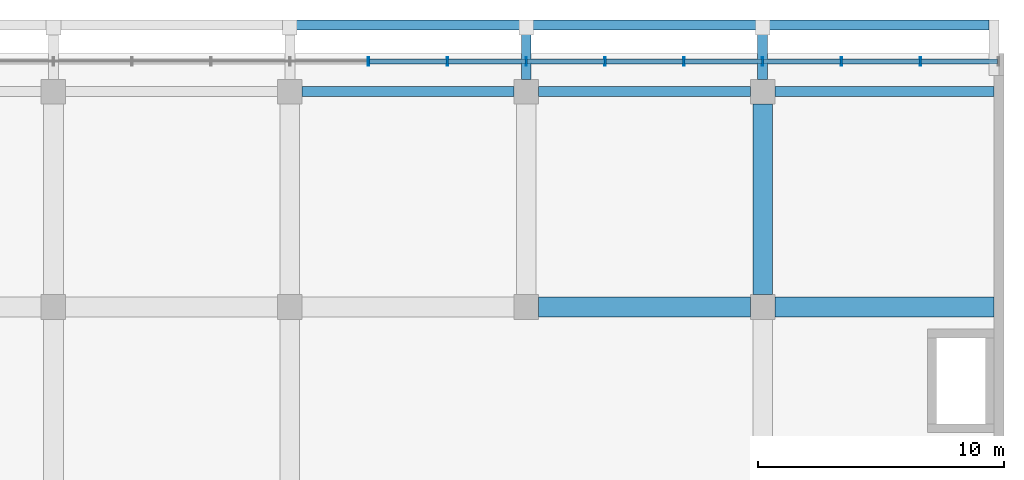
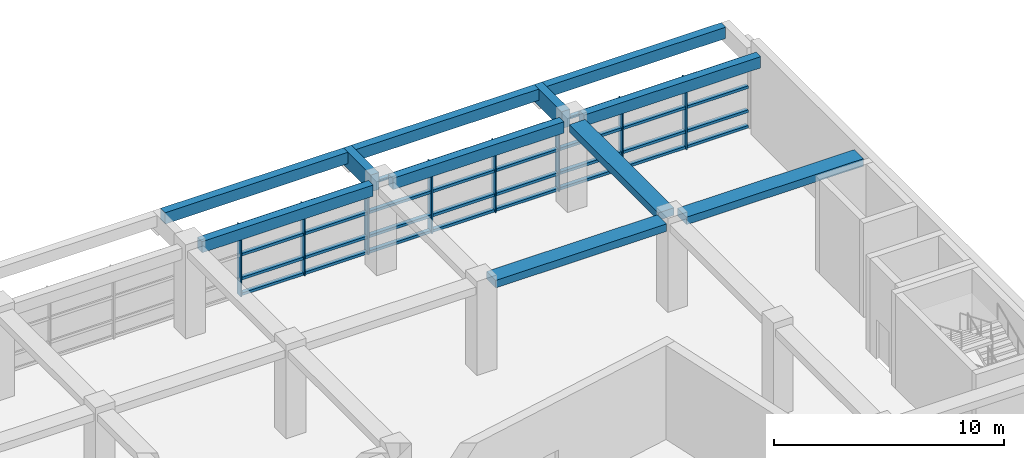
# One storey, part 5 of 31: 40 members, 11 beams, 1 element without a shape of its own.
"""IFC4 building model written with IfcOpenShell, lengths in metres."""

from ifc_helpers import new_model, si_unit, direction, frame, origin, origin_2d, place, context, subcontext, project, spatial, rectangle, hollow_rectangle, extrude, material, layer, layer_set, material_profile, profile_set, type_object, element, aggregate, save


model = new_model("IFC4")

# Units and contexts
model_context = context("Model", 3, precision=1e-05, world=origin(), true_north=direction((0.0, 1.0)))
body_context = subcontext(model_context, "Body", "Model", "MODEL_VIEW")
ifc_project = project(units=[si_unit("LENGTHUNIT", "METRE"), si_unit("AREAUNIT", "SQUARE_METRE"), si_unit("VOLUMEUNIT", "CUBIC_METRE"), si_unit("PLANEANGLEUNIT", "RADIAN"), si_unit("MASSUNIT", "GRAM", prefix="KILO")], contexts=[model_context])

# Site, building, storey
site_placement = place(None, origin())
site = spatial("IfcSite", under=ifc_project, at=site_placement, CompositionType="ELEMENT")
building_placement = place(site_placement, origin())
building = spatial("IfcBuilding", under=site, at=building_placement, Name="Nzadi Deep Aquarium and Research Tower", CompositionType="ELEMENT")
storey_placement = place(building_placement, frame((0.0, 0.0, 21.699951171875)))
storey = spatial("IfcBuildingStorey", under=building, at=storey_placement, Name="L03", CompositionType="ELEMENT", Elevation=21.699951171875)

# Curtain wall, members
ifc_material_1 = material(Name="Aluminium unitised frame tall span", Category="aluminium")
ifc_layer = layer(ifc_material_1, 0.35009765625)
ifc_layer_set = layer_set([ifc_layer], Name="Aluminium unitised frame tall span")
curtain_wall_type = type_object("IfcCurtainWallType", Name="Curtain wall Podium 350", PredefinedType="NOTDEFINED", material=ifc_layer_set)
curtain_wall_placement = place(storey_placement, origin())
curtain_wall = element("IfcCurtainWall", 1, at=curtain_wall_placement, inside=storey, type_object=curtain_wall_type, Name="North cascade curtain wall L03", PredefinedType="NOTDEFINED")
ifc_material_2 = material(Name="Aluminium unitised frame tall span", Category="aluminium")
ifc_material_profile_1 = material_profile(ifc_material_2, hollow_rectangle(XDim=0.35009765625, YDim=0.06005859375, WallThickness=0.0048828125, at=origin_2d()))
ifc_profile_set_1 = profile_set([ifc_material_profile_1], Name="Aluminium unitised frame tall span")
member_type_1 = type_object("IfcMemberType", Name="Mullion 60x350 Podium", PredefinedType="MULLION", material=ifc_profile_set_1)
member_1_placement = place(storey_placement, frame((32.0, 141.574951171875, 0.0), z_axis=(0.0, 0.0, 1.0), x_axis=(0.0, 1.0, 0.0)))
member_1 = element("IfcMember", 2, at=member_1_placement, type_object=member_type_1, Name="CW255 mullion 11", PredefinedType="MULLION", context=body_context, shape_type="SweptSolid", body=[
    extrude(hollow_rectangle(XDim=0.35009765625, YDim=0.06005859375, WallThickness=0.0048828125, at=origin_2d()), origin(), (0.0, 0.0, 1.0), 3.75),
])
member_2_placement = place(storey_placement, frame((35.199951171875, 141.574951171875, 0.0), z_axis=(0.0, 0.0, 1.0), x_axis=(0.0, 1.0, 0.0)))
member_2 = element("IfcMember", 3, at=member_2_placement, type_object=member_type_1, Name="CW255 mullion 12", PredefinedType="MULLION", context=body_context, shape_type="SweptSolid", body=[
    extrude(hollow_rectangle(XDim=0.35009765625, YDim=0.06005859375, WallThickness=0.0048828125, at=origin_2d()), origin(), (0.0, 0.0, 1.0), 3.75),
])
member_3_placement = place(storey_placement, frame((38.39990234375, 141.574951171875, 0.0), z_axis=(0.0, 0.0, 1.0), x_axis=(0.0, 1.0, 0.0)))
member_3 = element("IfcMember", 4, at=member_3_placement, type_object=member_type_1, Name="CW255 mullion 13", PredefinedType="MULLION", context=body_context, shape_type="SweptSolid", body=[
    extrude(hollow_rectangle(XDim=0.35009765625, YDim=0.06005859375, WallThickness=0.0048828125, at=origin_2d()), origin(), (0.0, 0.0, 1.0), 3.75),
])
member_4_placement = place(storey_placement, frame((41.60009765625, 141.574951171875, 0.0), z_axis=(0.0, 0.0, 1.0), x_axis=(0.0, 1.0, 0.0)))
member_4 = element("IfcMember", 5, at=member_4_placement, type_object=member_type_1, Name="CW255 mullion 14", PredefinedType="MULLION", context=body_context, shape_type="SweptSolid", body=[
    extrude(hollow_rectangle(XDim=0.35009765625, YDim=0.06005859375, WallThickness=0.0048828125, at=origin_2d()), origin(), (0.0, 0.0, 1.0), 3.75),
])
member_5_placement = place(storey_placement, frame((44.800048828125, 141.574951171875, 0.0), z_axis=(0.0, 0.0, 1.0), x_axis=(0.0, 1.0, 0.0)))
member_5 = element("IfcMember", 6, at=member_5_placement, type_object=member_type_1, Name="CW255 mullion 15", PredefinedType="MULLION", context=body_context, shape_type="SweptSolid", body=[
    extrude(hollow_rectangle(XDim=0.35009765625, YDim=0.06005859375, WallThickness=0.0048828125, at=origin_2d()), origin(), (0.0, 0.0, 1.0), 3.75),
])
member_6_placement = place(storey_placement, frame((48.0, 141.574951171875, 0.0), z_axis=(0.0, 0.0, 1.0), x_axis=(0.0, 1.0, 0.0)))
member_6 = element("IfcMember", 7, at=member_6_placement, type_object=member_type_1, Name="CW255 mullion 16", PredefinedType="MULLION", context=body_context, shape_type="SweptSolid", body=[
    extrude(hollow_rectangle(XDim=0.35009765625, YDim=0.06005859375, WallThickness=0.0048828125, at=origin_2d()), origin(), (0.0, 0.0, 1.0), 3.75),
])
member_7_placement = place(storey_placement, frame((51.199951171875, 141.574951171875, 0.0), z_axis=(0.0, 0.0, 1.0), x_axis=(0.0, 1.0, 0.0)))
member_7 = element("IfcMember", 8, at=member_7_placement, type_object=member_type_1, Name="CW255 mullion 17", PredefinedType="MULLION", context=body_context, shape_type="SweptSolid", body=[
    extrude(hollow_rectangle(XDim=0.35009765625, YDim=0.06005859375, WallThickness=0.0048828125, at=origin_2d()), origin(), (0.0, 0.0, 1.0), 3.75),
])
member_8_placement = place(storey_placement, frame((54.39990234375, 141.574951171875, 0.0), z_axis=(0.0, 0.0, 1.0), x_axis=(0.0, 1.0, 0.0)))
member_8 = element("IfcMember", 9, at=member_8_placement, type_object=member_type_1, Name="CW255 mullion 18", PredefinedType="MULLION", context=body_context, shape_type="SweptSolid", body=[
    extrude(hollow_rectangle(XDim=0.35009765625, YDim=0.06005859375, WallThickness=0.0048828125, at=origin_2d()), origin(), (0.0, 0.0, 1.0), 3.75),
])

# Beams
ifc_material_3 = material(Name="Concrete C35/45", Category="concrete")
ifc_material_profile_2 = material_profile(ifc_material_3, rectangle(XDim=0.39990234375, YDim=0.60009765625, at=origin_2d()))
ifc_profile_set_2 = profile_set([ifc_material_profile_2], Name="Concrete C35/45")
beam_type_1 = type_object("IfcBeamType", Name="RC 400x600", PredefinedType="BEAM", material=ifc_profile_set_2)
beam_1_placement = place(storey_placement, frame((29.300048828125, 140.35009765625, 4.35009765625), z_axis=(1.0, 0.0, 0.0), x_axis=(0.0, 1.0, 0.0)))
element("IfcBeam", 10, at=beam_1_placement, inside=storey, type_object=beam_type_1, Name="B-Z3-L03-L18-4", PredefinedType="BEAM", context=body_context, shape_type="SweptSolid", body=[
    extrude(rectangle(XDim=0.39990234375, YDim=0.60009765625, at=origin_2d()), origin(), (0.0, 0.0, 1.0), 8.599853515625),
])
beam_2_placement = place(storey_placement, frame((38.89990234375, 140.35009765625, 4.35009765625), z_axis=(1.0, 0.0, 0.0), x_axis=(0.0, 1.0, 0.0)))
element("IfcBeam", 11, at=beam_2_placement, inside=storey, type_object=beam_type_1, Name="B-Z3-L03-L18-5", PredefinedType="BEAM", context=body_context, shape_type="SweptSolid", body=[
    extrude(rectangle(XDim=0.39990234375, YDim=0.60009765625, at=origin_2d()), origin(), (0.0, 0.0, 1.0), 8.60009765625),
])
beam_3_placement = place(storey_placement, frame((48.5, 140.35009765625, 4.35009765625), z_axis=(1.0, 0.0, 0.0), x_axis=(0.0, 1.0, 0.0)))
element("IfcBeam", 12, at=beam_3_placement, inside=storey, type_object=beam_type_1, Name="B-Z3-L03-L18-6", PredefinedType="BEAM", context=body_context, shape_type="SweptSolid", body=[
    extrude(rectangle(XDim=0.39990234375, YDim=0.60009765625, at=origin_2d()), origin(), (0.0, 0.0, 1.0), 8.89990234375),
])
for number, where, z_axis, x_axis, name in (
    (13, (29.0, 143.050048828125, 4.35009765625), (1.0, 0.0, 0.0), (0.0, 1.0, 0.0), "B-Z3-L04-TB4"),
    (14, (38.60009765625, 143.050048828125, 4.35009765625), (1.0, 0.0, 0.0), (0.0, 1.0, 0.0), "B-Z3-L04-TB5"),
):
    element("IfcBeam", number, at=place(storey_placement, frame(where, z_axis=z_axis, x_axis=x_axis)), inside=storey, type_object=beam_type_1, Name=name, PredefinedType="BEAM", context=body_context, shape_type="SweptSolid", body=[
        extrude(rectangle(XDim=0.39990234375, YDim=0.60009765625, at=origin_2d()), origin(), (0.0, 0.0, 1.0), 9.199951171875),
    ])
beam_4_placement = place(storey_placement, frame((48.199951171875, 143.050048828125, 4.35009765625), z_axis=(1.0, 0.0, 0.0), x_axis=(0.0, 1.0, 0.0)))
element("IfcBeam", 15, at=beam_4_placement, inside=storey, type_object=beam_type_1, Name="B-Z3-L04-TB6", PredefinedType="BEAM", context=body_context, shape_type="SweptSolid", body=[
    extrude(rectangle(XDim=0.39990234375, YDim=0.60009765625, at=origin_2d()), origin(), (0.0, 0.0, 1.0), 9.0),
])
ifc_material_4 = material(Name="Concrete C35/45", Category="concrete")
ifc_material_profile_3 = material_profile(ifc_material_4, rectangle(XDim=0.39990234375, YDim=0.89990234375, at=origin_2d()))
ifc_profile_set_3 = profile_set([ifc_material_profile_3], Name="Concrete C35/45")
beam_type_2 = type_object("IfcBeamType", Name="RC 400x900", PredefinedType="BEAM", material=ifc_profile_set_3)
for number, where, z_axis, x_axis, name in (
    (16, (38.39990234375, 140.85009765625, 4.199951171875), (0.0, 1.0, 0.0), (-1.0, 0.0, 0.0), "B-Z3-L04-CB5"),
    (17, (48.0, 140.85009765625, 4.199951171875), (0.0, 1.0, 0.0), (-1.0, 0.0, 0.0), "B-Z3-L04-CB6"),
):
    element("IfcBeam", number, at=place(storey_placement, frame(where, z_axis=z_axis, x_axis=x_axis)), inside=storey, type_object=beam_type_2, Name=name, PredefinedType="BEAM", context=body_context, shape_type="SweptSolid", body=[
        extrude(rectangle(XDim=0.39990234375, YDim=0.89990234375, at=origin_2d()), origin(), (0.0, 0.0, 1.0), 2.39990234375),
    ])
ifc_material_5 = material(Name="Concrete C35/45", Category="concrete")
ifc_material_profile_4 = material_profile(ifc_material_5, rectangle(XDim=0.800048828125, YDim=0.39990234375, at=origin_2d()))
ifc_profile_set_4 = profile_set([ifc_material_profile_4], Name="Concrete C35/45")
beam_type_3 = type_object("IfcBeamType", Name="RC 800x400", PredefinedType="BEAM", material=ifc_profile_set_4)
beam_5_placement = place(storey_placement, frame((38.89990234375, 131.60009765625, 4.449951171875), z_axis=(1.0, 0.0, 0.0), x_axis=(0.0, 1.0, 0.0)))
element("IfcBeam", 18, at=beam_5_placement, inside=storey, type_object=beam_type_3, Name="B-Z3-L03-L17-5", PredefinedType="BEAM", context=body_context, shape_type="SweptSolid", body=[
    extrude(rectangle(XDim=0.800048828125, YDim=0.39990234375, at=origin_2d()), origin(), (0.0, 0.0, 1.0), 8.60009765625),
])
beam_6_placement = place(storey_placement, frame((48.5, 131.60009765625, 4.449951171875), z_axis=(1.0, 0.0, 0.0), x_axis=(0.0, 1.0, 0.0)))
element("IfcBeam", 19, at=beam_6_placement, inside=storey, type_object=beam_type_3, Name="B-Z3-L03-L17-6", PredefinedType="BEAM", context=body_context, shape_type="SweptSolid", body=[
    extrude(rectangle(XDim=0.800048828125, YDim=0.39990234375, at=origin_2d()), origin(), (0.0, 0.0, 1.0), 8.89990234375),
])
beam_7_placement = place(storey_placement, frame((48.0, 132.10009765625, 4.449951171875), z_axis=(0.0, 1.0, 0.0), x_axis=(-1.0, 0.0, 0.0)))
element("IfcBeam", 20, at=beam_7_placement, inside=storey, type_object=beam_type_3, Name="B-Z3-L03-CF-5-13", PredefinedType="BEAM", context=body_context, shape_type="SweptSolid", body=[
    extrude(rectangle(XDim=0.800048828125, YDim=0.39990234375, at=origin_2d()), origin(), (0.0, 0.0, 1.0), 7.75),
])

# Member
ifc_material_6 = material(Name="Aluminium unitised frame tall span", Category="aluminium")
ifc_material_profile_5 = material_profile(ifc_material_6, hollow_rectangle(XDim=0.199951171875, YDim=0.139892578125, WallThickness=0.0048828125, at=origin_2d()))
ifc_profile_set_5 = profile_set([ifc_material_profile_5], Name="Aluminium unitised frame tall span")
member_type_2 = type_object("IfcMemberType", Name="Transom 140x200 Podium", PredefinedType="MULLION", material=ifc_profile_set_5)
member_9_placement = place(storey_placement, frame((32.030029296875, 141.574951171875, 0.070068359375), z_axis=(1.0, 0.0, 0.0), x_axis=(0.0, 1.0, 0.0)))
member_9 = element("IfcMember", 21, at=member_9_placement, type_object=member_type_2, Name="CW255 transom 11.1", PredefinedType="MULLION", context=body_context, shape_type="SweptSolid", body=[
    extrude(hollow_rectangle(XDim=0.199951171875, YDim=0.139892578125, WallThickness=0.0048828125, at=origin_2d()), origin(), (0.0, 0.0, 1.0), 3.139892578125),
])

member_10_placement = place(storey_placement, frame((32.030029296875, 141.574951171875, 0.900146484375), z_axis=(1.0, 0.0, 0.0), x_axis=(0.0, 1.0, 0.0)))
member_10 = element("IfcMember", 22, at=member_10_placement, type_object=member_type_2, Name="CW255 transom 11.2", PredefinedType="MULLION", context=body_context, shape_type="SweptSolid", body=[
    extrude(hollow_rectangle(XDim=0.199951171875, YDim=0.139892578125, WallThickness=0.0048828125, at=origin_2d()), origin(), (0.0, 0.0, 1.0), 3.139892578125),
])

member_11_placement = place(storey_placement, frame((32.030029296875, 141.574951171875, 2.175048828125), z_axis=(1.0, 0.0, 0.0), x_axis=(0.0, 1.0, 0.0)))
member_11 = element("IfcMember", 23, at=member_11_placement, type_object=member_type_2, Name="CW255 transom 11.3", PredefinedType="MULLION", context=body_context, shape_type="SweptSolid", body=[
    extrude(hollow_rectangle(XDim=0.199951171875, YDim=0.139892578125, WallThickness=0.0048828125, at=origin_2d()), origin(), (0.0, 0.0, 1.0), 3.139892578125),
])

member_12_placement = place(storey_placement, frame((32.030029296875, 141.574951171875, 3.679931640625), z_axis=(1.0, 0.0, 0.0), x_axis=(0.0, 1.0, 0.0)))
member_12 = element("IfcMember", 24, at=member_12_placement, type_object=member_type_2, Name="CW255 transom 11.4", PredefinedType="MULLION", context=body_context, shape_type="SweptSolid", body=[
    extrude(hollow_rectangle(XDim=0.199951171875, YDim=0.139892578125, WallThickness=0.0048828125, at=origin_2d()), origin(), (0.0, 0.0, 1.0), 3.139892578125),
])

member_13_placement = place(storey_placement, frame((35.22998046875, 141.574951171875, 0.070068359375), z_axis=(1.0, 0.0, 0.0), x_axis=(0.0, 1.0, 0.0)))
member_13 = element("IfcMember", 25, at=member_13_placement, type_object=member_type_2, Name="CW255 transom 12.1", PredefinedType="MULLION", context=body_context, shape_type="SweptSolid", body=[
    extrude(hollow_rectangle(XDim=0.199951171875, YDim=0.139892578125, WallThickness=0.0048828125, at=origin_2d()), origin(), (0.0, 0.0, 1.0), 3.14013671875),
])

member_14_placement = place(storey_placement, frame((35.22998046875, 141.574951171875, 0.900146484375), z_axis=(1.0, 0.0, 0.0), x_axis=(0.0, 1.0, 0.0)))
member_14 = element("IfcMember", 26, at=member_14_placement, type_object=member_type_2, Name="CW255 transom 12.2", PredefinedType="MULLION", context=body_context, shape_type="SweptSolid", body=[
    extrude(hollow_rectangle(XDim=0.199951171875, YDim=0.139892578125, WallThickness=0.0048828125, at=origin_2d()), origin(), (0.0, 0.0, 1.0), 3.14013671875),
])

member_15_placement = place(storey_placement, frame((35.22998046875, 141.574951171875, 2.175048828125), z_axis=(1.0, 0.0, 0.0), x_axis=(0.0, 1.0, 0.0)))
member_15 = element("IfcMember", 27, at=member_15_placement, type_object=member_type_2, Name="CW255 transom 12.3", PredefinedType="MULLION", context=body_context, shape_type="SweptSolid", body=[
    extrude(hollow_rectangle(XDim=0.199951171875, YDim=0.139892578125, WallThickness=0.0048828125, at=origin_2d()), origin(), (0.0, 0.0, 1.0), 3.14013671875),
])

member_16_placement = place(storey_placement, frame((35.22998046875, 141.574951171875, 3.679931640625), z_axis=(1.0, 0.0, 0.0), x_axis=(0.0, 1.0, 0.0)))
member_16 = element("IfcMember", 28, at=member_16_placement, type_object=member_type_2, Name="CW255 transom 12.4", PredefinedType="MULLION", context=body_context, shape_type="SweptSolid", body=[
    extrude(hollow_rectangle(XDim=0.199951171875, YDim=0.139892578125, WallThickness=0.0048828125, at=origin_2d()), origin(), (0.0, 0.0, 1.0), 3.14013671875),
])

member_17_placement = place(storey_placement, frame((38.429931640625, 141.574951171875, 0.070068359375), z_axis=(1.0, 0.0, 0.0), x_axis=(0.0, 1.0, 0.0)))
member_17 = element("IfcMember", 29, at=member_17_placement, type_object=member_type_2, Name="CW255 transom 13.1", PredefinedType="MULLION", context=body_context, shape_type="SweptSolid", body=[
    extrude(hollow_rectangle(XDim=0.199951171875, YDim=0.139892578125, WallThickness=0.0048828125, at=origin_2d()), origin(), (0.0, 0.0, 1.0), 3.14013671875),
])

member_18_placement = place(storey_placement, frame((38.429931640625, 141.574951171875, 0.900146484375), z_axis=(1.0, 0.0, 0.0), x_axis=(0.0, 1.0, 0.0)))
member_18 = element("IfcMember", 30, at=member_18_placement, type_object=member_type_2, Name="CW255 transom 13.2", PredefinedType="MULLION", context=body_context, shape_type="SweptSolid", body=[
    extrude(hollow_rectangle(XDim=0.199951171875, YDim=0.139892578125, WallThickness=0.0048828125, at=origin_2d()), origin(), (0.0, 0.0, 1.0), 3.14013671875),
])

member_19_placement = place(storey_placement, frame((38.429931640625, 141.574951171875, 2.175048828125), z_axis=(1.0, 0.0, 0.0), x_axis=(0.0, 1.0, 0.0)))
member_19 = element("IfcMember", 31, at=member_19_placement, type_object=member_type_2, Name="CW255 transom 13.3", PredefinedType="MULLION", context=body_context, shape_type="SweptSolid", body=[
    extrude(hollow_rectangle(XDim=0.199951171875, YDim=0.139892578125, WallThickness=0.0048828125, at=origin_2d()), origin(), (0.0, 0.0, 1.0), 3.14013671875),
])

member_20_placement = place(storey_placement, frame((38.429931640625, 141.574951171875, 3.679931640625), z_axis=(1.0, 0.0, 0.0), x_axis=(0.0, 1.0, 0.0)))
member_20 = element("IfcMember", 32, at=member_20_placement, type_object=member_type_2, Name="CW255 transom 13.4", PredefinedType="MULLION", context=body_context, shape_type="SweptSolid", body=[
    extrude(hollow_rectangle(XDim=0.199951171875, YDim=0.139892578125, WallThickness=0.0048828125, at=origin_2d()), origin(), (0.0, 0.0, 1.0), 3.14013671875),
])

member_21_placement = place(storey_placement, frame((41.6298828125, 141.574951171875, 0.070068359375), z_axis=(1.0, 0.0, 0.0), x_axis=(0.0, 1.0, 0.0)))
member_21 = element("IfcMember", 33, at=member_21_placement, type_object=member_type_2, Name="CW255 transom 14.1", PredefinedType="MULLION", context=body_context, shape_type="SweptSolid", body=[
    extrude(hollow_rectangle(XDim=0.199951171875, YDim=0.139892578125, WallThickness=0.0048828125, at=origin_2d()), origin(), (0.0, 0.0, 1.0), 3.14013671875),
])

member_22_placement = place(storey_placement, frame((41.6298828125, 141.574951171875, 0.900146484375), z_axis=(1.0, 0.0, 0.0), x_axis=(0.0, 1.0, 0.0)))
member_22 = element("IfcMember", 34, at=member_22_placement, type_object=member_type_2, Name="CW255 transom 14.2", PredefinedType="MULLION", context=body_context, shape_type="SweptSolid", body=[
    extrude(hollow_rectangle(XDim=0.199951171875, YDim=0.139892578125, WallThickness=0.0048828125, at=origin_2d()), origin(), (0.0, 0.0, 1.0), 3.14013671875),
])

member_23_placement = place(storey_placement, frame((41.6298828125, 141.574951171875, 2.175048828125), z_axis=(1.0, 0.0, 0.0), x_axis=(0.0, 1.0, 0.0)))
member_23 = element("IfcMember", 35, at=member_23_placement, type_object=member_type_2, Name="CW255 transom 14.3", PredefinedType="MULLION", context=body_context, shape_type="SweptSolid", body=[
    extrude(hollow_rectangle(XDim=0.199951171875, YDim=0.139892578125, WallThickness=0.0048828125, at=origin_2d()), origin(), (0.0, 0.0, 1.0), 3.14013671875),
])

member_24_placement = place(storey_placement, frame((41.6298828125, 141.574951171875, 3.679931640625), z_axis=(1.0, 0.0, 0.0), x_axis=(0.0, 1.0, 0.0)))
member_24 = element("IfcMember", 36, at=member_24_placement, type_object=member_type_2, Name="CW255 transom 14.4", PredefinedType="MULLION", context=body_context, shape_type="SweptSolid", body=[
    extrude(hollow_rectangle(XDim=0.199951171875, YDim=0.139892578125, WallThickness=0.0048828125, at=origin_2d()), origin(), (0.0, 0.0, 1.0), 3.14013671875),
])

member_25_placement = place(storey_placement, frame((44.830078125, 141.574951171875, 0.070068359375), z_axis=(1.0, 0.0, 0.0), x_axis=(0.0, 1.0, 0.0)))
member_25 = element("IfcMember", 37, at=member_25_placement, type_object=member_type_2, Name="CW255 transom 15.1", PredefinedType="MULLION", context=body_context, shape_type="SweptSolid", body=[
    extrude(hollow_rectangle(XDim=0.199951171875, YDim=0.139892578125, WallThickness=0.0048828125, at=origin_2d()), origin(), (0.0, 0.0, 1.0), 3.139892578125),
])

member_26_placement = place(storey_placement, frame((44.830078125, 141.574951171875, 0.900146484375), z_axis=(1.0, 0.0, 0.0), x_axis=(0.0, 1.0, 0.0)))
member_26 = element("IfcMember", 38, at=member_26_placement, type_object=member_type_2, Name="CW255 transom 15.2", PredefinedType="MULLION", context=body_context, shape_type="SweptSolid", body=[
    extrude(hollow_rectangle(XDim=0.199951171875, YDim=0.139892578125, WallThickness=0.0048828125, at=origin_2d()), origin(), (0.0, 0.0, 1.0), 3.139892578125),
])

member_27_placement = place(storey_placement, frame((44.830078125, 141.574951171875, 2.175048828125), z_axis=(1.0, 0.0, 0.0), x_axis=(0.0, 1.0, 0.0)))
member_27 = element("IfcMember", 39, at=member_27_placement, type_object=member_type_2, Name="CW255 transom 15.3", PredefinedType="MULLION", context=body_context, shape_type="SweptSolid", body=[
    extrude(hollow_rectangle(XDim=0.199951171875, YDim=0.139892578125, WallThickness=0.0048828125, at=origin_2d()), origin(), (0.0, 0.0, 1.0), 3.139892578125),
])

member_28_placement = place(storey_placement, frame((44.830078125, 141.574951171875, 3.679931640625), z_axis=(1.0, 0.0, 0.0), x_axis=(0.0, 1.0, 0.0)))
member_28 = element("IfcMember", 40, at=member_28_placement, type_object=member_type_2, Name="CW255 transom 15.4", PredefinedType="MULLION", context=body_context, shape_type="SweptSolid", body=[
    extrude(hollow_rectangle(XDim=0.199951171875, YDim=0.139892578125, WallThickness=0.0048828125, at=origin_2d()), origin(), (0.0, 0.0, 1.0), 3.139892578125),
])

member_29_placement = place(storey_placement, frame((48.030029296875, 141.574951171875, 0.070068359375), z_axis=(1.0, 0.0, 0.0), x_axis=(0.0, 1.0, 0.0)))
member_29 = element("IfcMember", 41, at=member_29_placement, type_object=member_type_2, Name="CW255 transom 16.1", PredefinedType="MULLION", context=body_context, shape_type="SweptSolid", body=[
    extrude(hollow_rectangle(XDim=0.199951171875, YDim=0.139892578125, WallThickness=0.0048828125, at=origin_2d()), origin(), (0.0, 0.0, 1.0), 3.139892578125),
])

member_30_placement = place(storey_placement, frame((48.030029296875, 141.574951171875, 0.900146484375), z_axis=(1.0, 0.0, 0.0), x_axis=(0.0, 1.0, 0.0)))
member_30 = element("IfcMember", 42, at=member_30_placement, type_object=member_type_2, Name="CW255 transom 16.2", PredefinedType="MULLION", context=body_context, shape_type="SweptSolid", body=[
    extrude(hollow_rectangle(XDim=0.199951171875, YDim=0.139892578125, WallThickness=0.0048828125, at=origin_2d()), origin(), (0.0, 0.0, 1.0), 3.139892578125),
])

member_31_placement = place(storey_placement, frame((48.030029296875, 141.574951171875, 2.175048828125), z_axis=(1.0, 0.0, 0.0), x_axis=(0.0, 1.0, 0.0)))
member_31 = element("IfcMember", 43, at=member_31_placement, type_object=member_type_2, Name="CW255 transom 16.3", PredefinedType="MULLION", context=body_context, shape_type="SweptSolid", body=[
    extrude(hollow_rectangle(XDim=0.199951171875, YDim=0.139892578125, WallThickness=0.0048828125, at=origin_2d()), origin(), (0.0, 0.0, 1.0), 3.139892578125),
])

member_32_placement = place(storey_placement, frame((48.030029296875, 141.574951171875, 3.679931640625), z_axis=(1.0, 0.0, 0.0), x_axis=(0.0, 1.0, 0.0)))
member_32 = element("IfcMember", 44, at=member_32_placement, type_object=member_type_2, Name="CW255 transom 16.4", PredefinedType="MULLION", context=body_context, shape_type="SweptSolid", body=[
    extrude(hollow_rectangle(XDim=0.199951171875, YDim=0.139892578125, WallThickness=0.0048828125, at=origin_2d()), origin(), (0.0, 0.0, 1.0), 3.139892578125),
])

member_33_placement = place(storey_placement, frame((51.22998046875, 141.574951171875, 0.070068359375), z_axis=(1.0, 0.0, 0.0), x_axis=(0.0, 1.0, 0.0)))
member_33 = element("IfcMember", 45, at=member_33_placement, type_object=member_type_2, Name="CW255 transom 17.1", PredefinedType="MULLION", context=body_context, shape_type="SweptSolid", body=[
    extrude(hollow_rectangle(XDim=0.199951171875, YDim=0.139892578125, WallThickness=0.0048828125, at=origin_2d()), origin(), (0.0, 0.0, 1.0), 3.14013671875),
])

member_34_placement = place(storey_placement, frame((51.22998046875, 141.574951171875, 0.900146484375), z_axis=(1.0, 0.0, 0.0), x_axis=(0.0, 1.0, 0.0)))
member_34 = element("IfcMember", 46, at=member_34_placement, type_object=member_type_2, Name="CW255 transom 17.2", PredefinedType="MULLION", context=body_context, shape_type="SweptSolid", body=[
    extrude(hollow_rectangle(XDim=0.199951171875, YDim=0.139892578125, WallThickness=0.0048828125, at=origin_2d()), origin(), (0.0, 0.0, 1.0), 3.14013671875),
])

member_35_placement = place(storey_placement, frame((51.22998046875, 141.574951171875, 2.175048828125), z_axis=(1.0, 0.0, 0.0), x_axis=(0.0, 1.0, 0.0)))
member_35 = element("IfcMember", 47, at=member_35_placement, type_object=member_type_2, Name="CW255 transom 17.3", PredefinedType="MULLION", context=body_context, shape_type="SweptSolid", body=[
    extrude(hollow_rectangle(XDim=0.199951171875, YDim=0.139892578125, WallThickness=0.0048828125, at=origin_2d()), origin(), (0.0, 0.0, 1.0), 3.14013671875),
])

member_36_placement = place(storey_placement, frame((51.22998046875, 141.574951171875, 3.679931640625), z_axis=(1.0, 0.0, 0.0), x_axis=(0.0, 1.0, 0.0)))
member_36 = element("IfcMember", 48, at=member_36_placement, type_object=member_type_2, Name="CW255 transom 17.4", PredefinedType="MULLION", context=body_context, shape_type="SweptSolid", body=[
    extrude(hollow_rectangle(XDim=0.199951171875, YDim=0.139892578125, WallThickness=0.0048828125, at=origin_2d()), origin(), (0.0, 0.0, 1.0), 3.14013671875),
])

member_37_placement = place(storey_placement, frame((54.429931640625, 141.574951171875, 0.070068359375), z_axis=(1.0, 0.0, 0.0), x_axis=(0.0, 1.0, 0.0)))
member_37 = element("IfcMember", 49, at=member_37_placement, type_object=member_type_2, Name="CW255 transom 18.1", PredefinedType="MULLION", context=body_context, shape_type="SweptSolid", body=[
    extrude(hollow_rectangle(XDim=0.199951171875, YDim=0.139892578125, WallThickness=0.0048828125, at=origin_2d()), origin(), (0.0, 0.0, 1.0), 3.110107421875),
])

member_38_placement = place(storey_placement, frame((54.429931640625, 141.574951171875, 0.900146484375), z_axis=(1.0, 0.0, 0.0), x_axis=(0.0, 1.0, 0.0)))
member_38 = element("IfcMember", 50, at=member_38_placement, type_object=member_type_2, Name="CW255 transom 18.2", PredefinedType="MULLION", context=body_context, shape_type="SweptSolid", body=[
    extrude(hollow_rectangle(XDim=0.199951171875, YDim=0.139892578125, WallThickness=0.0048828125, at=origin_2d()), origin(), (0.0, 0.0, 1.0), 3.110107421875),
])

member_39_placement = place(storey_placement, frame((54.429931640625, 141.574951171875, 2.175048828125), z_axis=(1.0, 0.0, 0.0), x_axis=(0.0, 1.0, 0.0)))
member_39 = element("IfcMember", 51, at=member_39_placement, type_object=member_type_2, Name="CW255 transom 18.3", PredefinedType="MULLION", context=body_context, shape_type="SweptSolid", body=[
    extrude(hollow_rectangle(XDim=0.199951171875, YDim=0.139892578125, WallThickness=0.0048828125, at=origin_2d()), origin(), (0.0, 0.0, 1.0), 3.110107421875),
])

member_40_placement = place(storey_placement, frame((54.429931640625, 141.574951171875, 3.679931640625), z_axis=(1.0, 0.0, 0.0), x_axis=(0.0, 1.0, 0.0)))
member_40 = element("IfcMember", 52, at=member_40_placement, type_object=member_type_2, Name="CW255 transom 18.4", PredefinedType="MULLION", context=body_context, shape_type="SweptSolid", body=[
    extrude(hollow_rectangle(XDim=0.199951171875, YDim=0.139892578125, WallThickness=0.0048828125, at=origin_2d()), origin(), (0.0, 0.0, 1.0), 3.110107421875),
])

aggregate(curtain_wall, [member_1, member_2, member_3, member_4, member_5, member_6, member_7, member_8, member_9, member_10, member_11, member_12, member_13, member_14, member_15, member_16, member_17, member_18, member_19, member_20, member_21, member_22, member_23, member_24, member_25, member_26, member_27, member_28, member_29, member_30, member_31, member_32, member_33, member_34, member_35, member_36, member_37, member_38, member_39, member_40])

save(model, "model.ifc")
